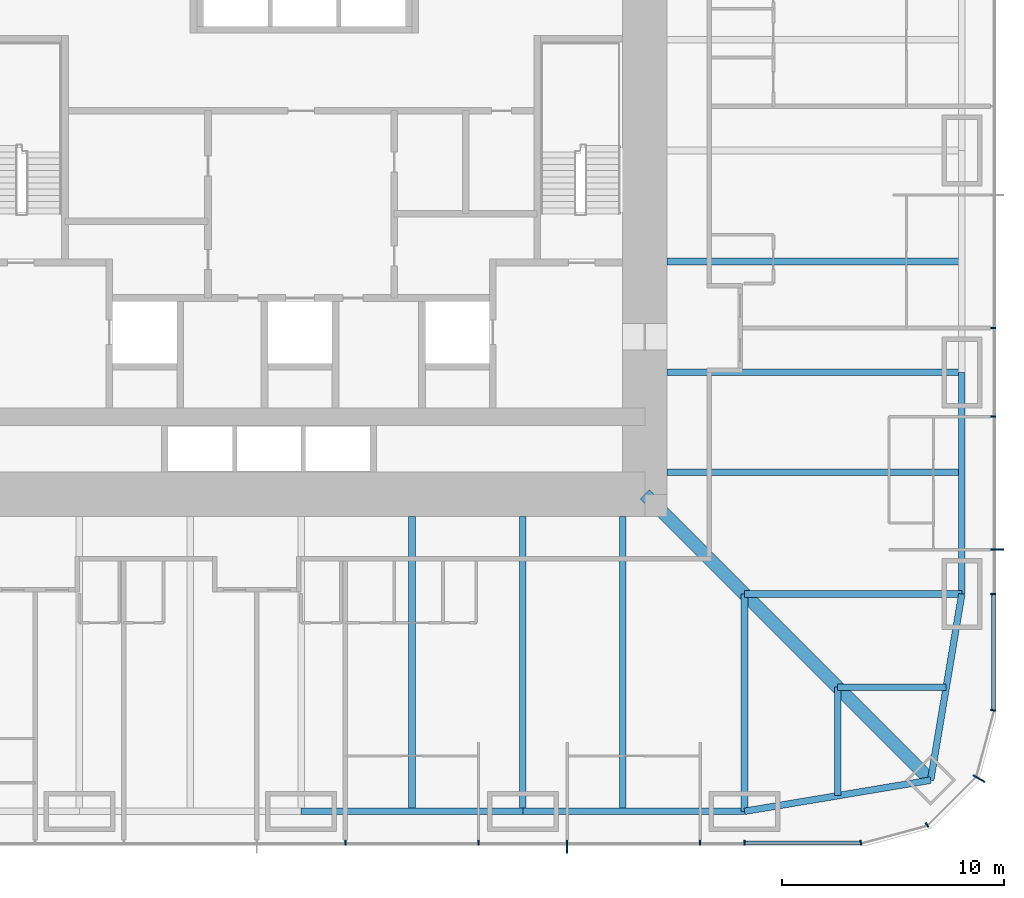
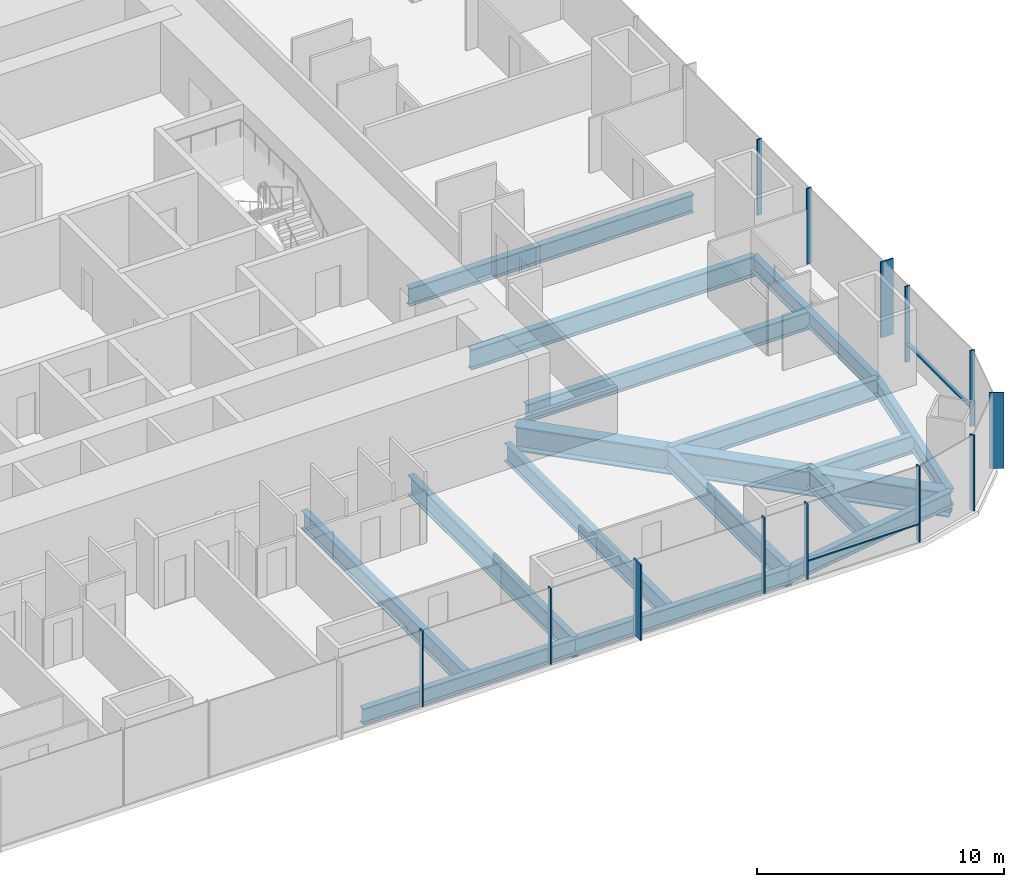
# One storey, part 4 of 16: 16 beams, 15 members, 3 elements without a shape of their own.
"""IFC4 building model written with IfcOpenShell, lengths in metres."""

from ifc_helpers import new_model, si_unit, direction, frame, origin, origin_2d, place, context, subcontext, project, spatial, rectangle, i_section, extrude, material, material_profile, profile_set, type_object, element, aggregate, save


model = new_model("IFC4")

# Units and contexts
model_context = context("Model", 3, precision=1e-05, world=origin(), true_north=direction((0.0, 1.0)))
body_context = subcontext(model_context, "Body", "Model", "MODEL_VIEW")
ifc_project = project(units=[si_unit("LENGTHUNIT", "METRE"), si_unit("AREAUNIT", "SQUARE_METRE"), si_unit("VOLUMEUNIT", "CUBIC_METRE"), si_unit("PLANEANGLEUNIT", "RADIAN"), si_unit("MASSUNIT", "GRAM", prefix="KILO")], contexts=[model_context])

# Site, building, storey
site_placement = place(None, origin())
site = spatial("IfcSite", under=ifc_project, at=site_placement, CompositionType="ELEMENT")
building_placement = place(site_placement, origin())
building = spatial("IfcBuilding", under=site, at=building_placement, Name="Khuree Lantern Residences", CompositionType="ELEMENT")
storey_placement = place(building_placement, frame((0.0, 0.0, 66.0)))
storey = spatial("IfcBuildingStorey", under=building, at=storey_placement, Name="L16", CompositionType="ELEMENT", Elevation=66.0)

# Beams
ifc_material_1 = material(Name="Steel S355", Category="steel")
ifc_material_profile_1 = material_profile(ifc_material_1, i_section(OverallWidth=0.300048828125, OverallDepth=0.889892578125, WebThickness=0.01611328125, FlangeThickness=0.030029296875, FilletRadius=0.030029296875, at=origin_2d()), Name="HE 900 A")
ifc_profile_set_1 = profile_set([ifc_material_profile_1], Name="Steel S355")
beam_type_1 = type_object("IfcBeamType", Name="B-14 SECONDARY BEAM HE 900 A", PredefinedType="BEAM", material=ifc_profile_set_1)
for number, where, z_axis, x_axis, name in (
    (1, (29.800048828125, -5.0, -0.695068359375), (-1.0, 0.0, 0.0), (0.0, -1.0, 0.0), "Secondary beam E4"),
    (2, (29.800048828125, -14.5, -0.695068359375), (-1.0, 0.0, 0.0), (0.0, -1.0, 0.0), "Secondary beam E5"),
):
    element("IfcBeam", number, at=place(storey_placement, frame(where, z_axis=z_axis, x_axis=x_axis)), inside=storey, type_object=beam_type_1, Name=name, PredefinedType="BEAM", context=body_context, shape_type="SweptSolid", body=[
        extrude(i_section(OverallWidth=0.300048828125, OverallDepth=0.889892578125, WebThickness=0.01611328125, FlangeThickness=0.030029296875, FilletRadius=0.030029296875, at=origin_2d()), origin(), (0.0, 0.0, 1.0), 13.300048828125),
    ])
for number, where, z_axis, x_axis, name in (
    (3, (29.09716796875, -24.197021484375, -0.695068359375), (-1.0, 0.0, 0.0), (0.0, -1.0, 0.0), "Secondary beam E6"),
    (4, (24.197021484375, -29.09716796875, -0.695068359375), (0.0, 1.0, 0.0), (-1.0, 0.0, 0.0), "Secondary beam S1"),
):
    element("IfcBeam", number, at=place(storey_placement, frame(where, z_axis=z_axis, x_axis=x_axis)), inside=storey, type_object=beam_type_1, Name=name, PredefinedType="BEAM", context=body_context, shape_type="SweptSolid", body=[
        extrude(i_section(OverallWidth=0.300048828125, OverallDepth=0.889892578125, WebThickness=0.01611328125, FlangeThickness=0.030029296875, FilletRadius=0.030029296875, at=origin_2d()), origin(), (0.0, 0.0, 1.0), 4.900146484375),
    ])
for number, where, z_axis, x_axis, name in (
    (5, (14.5, -29.800048828125, -0.695068359375), (0.0, 1.0, 0.0), (-1.0, 0.0, 0.0), "Secondary beam S2"),
    (6, (5.0, -29.800048828125, -0.695068359375), (0.0, 1.0, 0.0), (-1.0, 0.0, 0.0), "Secondary beam S3"),
):
    element("IfcBeam", number, at=place(storey_placement, frame(where, z_axis=z_axis, x_axis=x_axis)), inside=storey, type_object=beam_type_1, Name=name, PredefinedType="BEAM", context=body_context, shape_type="SweptSolid", body=[
        extrude(i_section(OverallWidth=0.300048828125, OverallDepth=0.889892578125, WebThickness=0.01611328125, FlangeThickness=0.030029296875, FilletRadius=0.030029296875, at=origin_2d()), origin(), (0.0, 0.0, 1.0), 13.300048828125),
    ])
ifc_material_profile_2 = material_profile(ifc_material_1, i_section(OverallWidth=0.300048828125, OverallDepth=0.7900390625, WebThickness=0.014892578125, FlangeThickness=0.028076171875, FilletRadius=0.030029296875, at=origin_2d()), Name="HE 800 A")
ifc_profile_set_2 = profile_set([ifc_material_profile_2], Name="Steel S355")
beam_type_2 = type_object("IfcBeamType", Name="E-14 SPANDREL BEAM HE 800 A", PredefinedType="SPANDREL", material=ifc_profile_set_2)
beam_1_placement = place(storey_placement, frame((29.800048828125, -10.0, -0.64501953125), z_axis=(0.0, -1.0, 0.0), x_axis=(1.0, 0.0, 0.0)))
element("IfcBeam", 7, at=beam_1_placement, inside=storey, type_object=beam_type_2, Name="Spandrel beam E5", PredefinedType="SPANDREL", context=body_context, shape_type="SweptSolid", body=[
    extrude(i_section(OverallWidth=0.300048828125, OverallDepth=0.7900390625, WebThickness=0.014892578125, FlangeThickness=0.028076171875, FilletRadius=0.030029296875, at=origin_2d()), origin(), (0.0, 0.0, 1.0), 10.0),
])
for number, where, z_axis, x_axis, name in (
    (8, (29.800048828125, -20.0, -0.64501953125), (-0.165199022349, -0.986260251158, 0.0), (0.986260251158, -0.165199022349, 0.0), "Spandrel beam E6"),
    (9, (28.39404296875, -28.39404296875, -0.64501953125), (-0.986260251158, -0.165199022349, 0.0), (0.165199022349, -0.986260251158, 0.0), "Spandrel beam S1"),
):
    element("IfcBeam", number, at=place(storey_placement, frame(where, z_axis=z_axis, x_axis=x_axis)), inside=storey, type_object=beam_type_2, Name=name, PredefinedType="SPANDREL", context=body_context, shape_type="SweptSolid", body=[
        extrude(i_section(OverallWidth=0.300048828125, OverallDepth=0.7900390625, WebThickness=0.014892578125, FlangeThickness=0.028076171875, FilletRadius=0.030029296875, at=origin_2d()), origin(), (0.0, 0.0, 1.0), 8.510986328125),
    ])
for number, where, z_axis, x_axis, name in (
    (10, (20.0, -29.800048828125, -0.64501953125), (-1.0, 0.0, 0.0), (0.0, -1.0, 0.0), "Spandrel beam S2"),
    (11, (10.0, -29.800048828125, -0.64501953125), (-1.0, 0.0, 0.0), (0.0, -1.0, 0.0), "Spandrel beam S3"),
):
    element("IfcBeam", number, at=place(storey_placement, frame(where, z_axis=z_axis, x_axis=x_axis)), inside=storey, type_object=beam_type_2, Name=name, PredefinedType="SPANDREL", context=body_context, shape_type="SweptSolid", body=[
        extrude(i_section(OverallWidth=0.300048828125, OverallDepth=0.7900390625, WebThickness=0.014892578125, FlangeThickness=0.028076171875, FilletRadius=0.030029296875, at=origin_2d()), origin(), (0.0, 0.0, 1.0), 10.0),
    ])

# Curtain wall, member
ifc_material_2 = material(Name="Bronze anodised aluminium", Category="aluminium")
curtain_wall_type_1 = type_object("IfcCurtainWallType", Name="CW-T2 TOWER CORNER CURTAIN WALL", PredefinedType="USERDEFINED", material=ifc_material_2)
curtain_wall_1_placement = place(storey_placement, origin())
curtain_wall_1 = element("IfcCurtainWall", 12, at=curtain_wall_1_placement, inside=storey, type_object=curtain_wall_type_1, Name="L16 SOUTH-EAST CORNER CURTAIN WALL", ObjectType="Faceted corner curtain wall", PredefinedType="USERDEFINED")
ifc_material_profile_3 = material_profile(ifc_material_2, rectangle(XDim=0.06494140625, YDim=0.60009765625, at=origin_2d()), Name="F1 65X600")
ifc_profile_set_3 = profile_set([ifc_material_profile_3], Name="Bronze anodised aluminium")
member_type_1 = type_object("IfcMemberType", Name="F1 BRONZE FIN MULLION TOWER 65X600", PredefinedType="MULLION", material=ifc_profile_set_3)
member_1_placement = place(storey_placement, frame((30.576171875, -28.324951171875, 0.0), z_axis=(0.0, 0.0, 1.0), x_axis=(0.500000056923, 0.86602537092, 0.0)))
member_1 = element("IfcMember", 13, at=member_1_placement, type_object=member_type_1, Name="L16 SOUTH-EAST CORNER FIN MULLION 3", PredefinedType="MULLION", context=body_context, shape_type="SweptSolid", body=[
    extrude(rectangle(XDim=0.06494140625, YDim=0.60009765625, at=origin_2d()), origin(), (0.0, 0.0, 1.0), 3.75),
])

curtain_wall_type_2 = type_object("IfcCurtainWallType", Name="CW-T1 TOWER FACE CURTAIN WALL", PredefinedType="USERDEFINED", material=ifc_material_2)
curtain_wall_2_placement = place(storey_placement, origin())
curtain_wall_2 = element("IfcCurtainWall", 14, at=curtain_wall_2_placement, inside=storey, type_object=curtain_wall_type_2, Name="L16 EAST FACE CURTAIN WALL", ObjectType="Stick-built curtain wall", PredefinedType="USERDEFINED")
member_2_placement = place(storey_placement, frame((31.39990234375, -18.0, 0.0), z_axis=(0.0, 0.0, 1.0), x_axis=(0.0, 1.0, 0.0)))
member_2 = element("IfcMember", 15, at=member_2_placement, type_object=member_type_1, Name="L16 EAST FACE FIN MULLION 6", PredefinedType="MULLION", context=body_context, shape_type="SweptSolid", body=[
    extrude(rectangle(XDim=0.06494140625, YDim=0.60009765625, at=origin_2d()), origin(), (0.0, 0.0, 1.0), 3.75),
])

curtain_wall_3_placement = place(storey_placement, origin())
curtain_wall_3 = element("IfcCurtainWall", 16, at=curtain_wall_3_placement, inside=storey, type_object=curtain_wall_type_2, Name="L16 SOUTH FACE CURTAIN WALL", ObjectType="Stick-built curtain wall", PredefinedType="USERDEFINED")
member_3_placement = place(storey_placement, frame((12.0, -31.39990234375, 0.0), z_axis=(0.0, 0.0, 1.0), x_axis=(1.0, 0.0, 0.0)))
member_3 = element("IfcMember", 17, at=member_3_placement, type_object=member_type_1, Name="L16 SOUTH FACE FIN MULLION 54", PredefinedType="MULLION", context=body_context, shape_type="SweptSolid", body=[
    extrude(rectangle(XDim=0.06494140625, YDim=0.60009765625, at=origin_2d()), origin(), (0.0, 0.0, 1.0), 3.75),
])

# Beams
ifc_material_profile_4 = material_profile(ifc_material_1, i_section(OverallWidth=0.302001953125, OverallDepth=1.008056640625, WebThickness=0.02099609375, FlangeThickness=0.0400390625, FilletRadius=0.030029296875, at=origin_2d()), Name="HE 1000 M")
ifc_profile_set_4 = profile_set([ifc_material_profile_4], Name="Steel S355")
beam_type_3 = type_object("IfcBeamType", Name="G-14 GIRDER HE 1000 M", PredefinedType="BEAM", material=ifc_profile_set_4)
beam_2_placement = place(storey_placement, frame((29.800048828125, -10.0, -0.75390625), z_axis=(-1.0, 0.0, 0.0), x_axis=(0.0, -1.0, 0.0)))
element("IfcBeam", 18, at=beam_2_placement, inside=storey, type_object=beam_type_3, Name="Girder E4", PredefinedType="BEAM", context=body_context, shape_type="SweptSolid", body=[
    extrude(i_section(OverallWidth=0.302001953125, OverallDepth=1.008056640625, WebThickness=0.02099609375, FlangeThickness=0.0400390625, FilletRadius=0.030029296875, at=origin_2d()), origin(), (0.0, 0.0, 1.0), 13.300048828125),
])
for number, where, z_axis, x_axis, name in (
    (19, (29.800048828125, -20.0, -0.75390625), (-1.0, 0.0, 0.0), (0.0, -1.0, 0.0), "Girder E5"),
    (20, (20.0, -29.800048828125, -0.75390625), (0.0, 1.0, 0.0), (-1.0, 0.0, 0.0), "Girder S1"),
):
    element("IfcBeam", number, at=place(storey_placement, frame(where, z_axis=z_axis, x_axis=x_axis)), inside=storey, type_object=beam_type_3, Name=name, PredefinedType="BEAM", context=body_context, shape_type="SweptSolid", body=[
        extrude(i_section(OverallWidth=0.302001953125, OverallDepth=1.008056640625, WebThickness=0.02099609375, FlangeThickness=0.0400390625, FilletRadius=0.030029296875, at=origin_2d()), origin(), (0.0, 0.0, 1.0), 9.800048828125),
    ])
beam_3_placement = place(storey_placement, frame((10.0, -29.800048828125, -0.75390625), z_axis=(0.0, 1.0, 0.0), x_axis=(-1.0, 0.0, 0.0)))
element("IfcBeam", 21, at=beam_3_placement, inside=storey, type_object=beam_type_3, Name="Girder S2", PredefinedType="BEAM", context=body_context, shape_type="SweptSolid", body=[
    extrude(i_section(OverallWidth=0.302001953125, OverallDepth=1.008056640625, WebThickness=0.02099609375, FlangeThickness=0.0400390625, FilletRadius=0.030029296875, at=origin_2d()), origin(), (0.0, 0.0, 1.0), 13.300048828125),
])
ifc_material_profile_5 = material_profile(ifc_material_1, i_section(OverallWidth=0.60009765625, OverallDepth=1.199951171875, WebThickness=0.030029296875, FlangeThickness=0.06005859375, at=origin_2d()), Name="WELDED I 1200X600X30X60")
ifc_profile_set_5 = profile_set([ifc_material_profile_5], Name="Steel S355")
beam_type_4 = type_object("IfcBeamType", Name="GD-14 CORNER GIRDER WELDED I 1200X600X30X60", PredefinedType="BEAM", material=ifc_profile_set_5)
beam_4_placement = place(storey_placement, frame((28.39404296875, -28.39404296875, -0.85009765625), z_axis=(-0.707106781187, 0.707106781187, 0.0), x_axis=(-0.707106781187, -0.707106781187, 0.0)))
element("IfcBeam", 22, at=beam_4_placement, inside=storey, type_object=beam_type_4, Name="Corner girder SE", PredefinedType="BEAM", context=body_context, shape_type="SweptSolid", body=[
    extrude(i_section(OverallWidth=0.60009765625, OverallDepth=1.199951171875, WebThickness=0.030029296875, FlangeThickness=0.06005859375, at=origin_2d()), origin(), (0.0, 0.0, 1.0), 18.23486328125),
])

# Member
ifc_material_profile_6 = material_profile(ifc_material_2, rectangle(XDim=0.06494140625, YDim=0.219970703125, at=origin_2d()), Name="M1 65X220")
ifc_profile_set_6 = profile_set([ifc_material_profile_6], Name="Bronze anodised aluminium")
member_type_2 = type_object("IfcMemberType", Name="M1 BRONZE MULLION TOWER 65X220", PredefinedType="MULLION", material=ifc_profile_set_6)
member_4_placement = place(storey_placement, frame((25.244873046875, -31.211669921875, 0.0), z_axis=(0.0, 0.0, 1.0), x_axis=(0.991444852794, 0.130526257387, 0.0)))
member_4 = element("IfcMember", 23, at=member_4_placement, type_object=member_type_2, Name="L16 SOUTH-EAST CORNER MULLION 1", PredefinedType="MULLION", context=body_context, shape_type="SweptSolid", body=[
    extrude(rectangle(XDim=0.06494140625, YDim=0.219970703125, at=origin_2d()), origin(), (0.0, 0.0, 1.0), 3.75),
])

member_5_placement = place(storey_placement, frame((28.22998046875, -30.41162109375, 0.0), z_axis=(0.0, 0.0, 1.0), x_axis=(0.86602537092, 0.500000056923, 0.0)))
member_5 = element("IfcMember", 24, at=member_5_placement, type_object=member_type_2, Name="L16 SOUTH-EAST CORNER MULLION 2", PredefinedType="MULLION", context=body_context, shape_type="SweptSolid", body=[
    extrude(rectangle(XDim=0.06494140625, YDim=0.219970703125, at=origin_2d()), origin(), (0.0, 0.0, 1.0), 3.75),
])

aggregate(curtain_wall_1, [member_4, member_5, member_1])

member_6_placement = place(storey_placement, frame((31.211669921875, -25.244873046875, 0.0), z_axis=(0.0, 0.0, 1.0), x_axis=(0.130526257387, 0.991444852794, 0.0)))
member_6 = element("IfcMember", 25, at=member_6_placement, type_object=member_type_2, Name="L16 EAST FACE MULLION 4", PredefinedType="MULLION", context=body_context, shape_type="SweptSolid", body=[
    extrude(rectangle(XDim=0.06494140625, YDim=0.219970703125, at=origin_2d()), origin(), (0.0, 0.0, 1.0), 3.75),
])

member_7_placement = place(storey_placement, frame((31.2099609375, -20.0, 0.0), z_axis=(0.0, 0.0, 1.0), x_axis=(0.0, 1.0, 0.0)))
member_7 = element("IfcMember", 26, at=member_7_placement, type_object=member_type_2, Name="L16 EAST FACE MULLION 5", PredefinedType="MULLION", context=body_context, shape_type="SweptSolid", body=[
    extrude(rectangle(XDim=0.06494140625, YDim=0.219970703125, at=origin_2d()), origin(), (0.0, 0.0, 1.0), 3.75),
])

member_8_placement = place(storey_placement, frame((31.2099609375, -12.0, 0.0), z_axis=(0.0, 0.0, 1.0), x_axis=(0.0, 1.0, 0.0)))
member_8 = element("IfcMember", 27, at=member_8_placement, type_object=member_type_2, Name="L16 EAST FACE MULLION 7", PredefinedType="MULLION", context=body_context, shape_type="SweptSolid", body=[
    extrude(rectangle(XDim=0.06494140625, YDim=0.219970703125, at=origin_2d()), origin(), (0.0, 0.0, 1.0), 3.75),
])

member_9_placement = place(storey_placement, frame((31.2099609375, -8.0, 0.0), z_axis=(0.0, 0.0, 1.0), x_axis=(0.0, 1.0, 0.0)))
member_9 = element("IfcMember", 28, at=member_9_placement, type_object=member_type_2, Name="L16 EAST FACE MULLION 8", PredefinedType="MULLION", context=body_context, shape_type="SweptSolid", body=[
    extrude(rectangle(XDim=0.06494140625, YDim=0.219970703125, at=origin_2d()), origin(), (0.0, 0.0, 1.0), 3.75),
])

member_10_placement = place(storey_placement, frame((2.0, -31.2099609375, 0.0), z_axis=(0.0, 0.0, 1.0), x_axis=(1.0, 0.0, 0.0)))
member_10 = element("IfcMember", 29, at=member_10_placement, type_object=member_type_2, Name="L16 SOUTH FACE MULLION 52", PredefinedType="MULLION", context=body_context, shape_type="SweptSolid", body=[
    extrude(rectangle(XDim=0.06494140625, YDim=0.219970703125, at=origin_2d()), origin(), (0.0, 0.0, 1.0), 3.75),
])

member_11_placement = place(storey_placement, frame((8.0, -31.2099609375, 0.0), z_axis=(0.0, 0.0, 1.0), x_axis=(1.0, 0.0, 0.0)))
member_11 = element("IfcMember", 30, at=member_11_placement, type_object=member_type_2, Name="L16 SOUTH FACE MULLION 53", PredefinedType="MULLION", context=body_context, shape_type="SweptSolid", body=[
    extrude(rectangle(XDim=0.06494140625, YDim=0.219970703125, at=origin_2d()), origin(), (0.0, 0.0, 1.0), 3.75),
])

member_12_placement = place(storey_placement, frame((18.0, -31.2099609375, 0.0), z_axis=(0.0, 0.0, 1.0), x_axis=(1.0, 0.0, 0.0)))
member_12 = element("IfcMember", 31, at=member_12_placement, type_object=member_type_2, Name="L16 SOUTH FACE MULLION 55", PredefinedType="MULLION", context=body_context, shape_type="SweptSolid", body=[
    extrude(rectangle(XDim=0.06494140625, YDim=0.219970703125, at=origin_2d()), origin(), (0.0, 0.0, 1.0), 3.75),
])

member_13_placement = place(storey_placement, frame((20.0, -31.2099609375, 0.0), z_axis=(0.0, 0.0, 1.0), x_axis=(1.0, 0.0, 0.0)))
member_13 = element("IfcMember", 32, at=member_13_placement, type_object=member_type_2, Name="L16 SOUTH FACE MULLION 56", PredefinedType="MULLION", context=body_context, shape_type="SweptSolid", body=[
    extrude(rectangle(XDim=0.06494140625, YDim=0.219970703125, at=origin_2d()), origin(), (0.0, 0.0, 1.0), 3.75),
])

ifc_material_profile_7 = material_profile(ifc_material_2, rectangle(XDim=0.179931640625, YDim=0.06494140625, at=origin_2d()), Name="T1 180X65")
ifc_profile_set_7 = profile_set([ifc_material_profile_7], Name="Bronze anodised aluminium")
member_type_3 = type_object("IfcMemberType", Name="TRANSOM T1 TOWER 180X65", PredefinedType="USERDEFINED", material=ifc_profile_set_7)
member_14_placement = place(storey_placement, frame((31.219970703125, -25.201416015625, 0.89990234375), z_axis=(0.0, 1.0, 0.0), x_axis=(-1.0, 0.0, 0.0)))
member_14 = element("IfcMember", 33, at=member_14_placement, type_object=member_type_3, Name="L16 EAST FACE TRANSOM 4.1", ObjectType="Transom", PredefinedType="USERDEFINED", context=body_context, shape_type="SweptSolid", body=[
    extrude(rectangle(XDim=0.179931640625, YDim=0.06494140625, at=origin_2d()), origin(), (0.0, 0.0, 1.0), 5.1689453125),
])

aggregate(curtain_wall_2, [member_6, member_7, member_2, member_8, member_9, member_14])

member_15_placement = place(storey_placement, frame((20.032470703125, -31.219970703125, 0.89990234375), z_axis=(1.0, 0.0, 0.0), x_axis=(0.0, 1.0, 0.0)))
member_15 = element("IfcMember", 34, at=member_15_placement, type_object=member_type_3, Name="L16 SOUTH FACE TRANSOM 56.1", ObjectType="Transom", PredefinedType="USERDEFINED", context=body_context, shape_type="SweptSolid", body=[
    extrude(rectangle(XDim=0.179931640625, YDim=0.06494140625, at=origin_2d()), origin(), (0.0, 0.0, 1.0), 5.1689453125),
])

aggregate(curtain_wall_3, [member_10, member_11, member_3, member_12, member_13, member_15])

save(model, "model.ifc")
